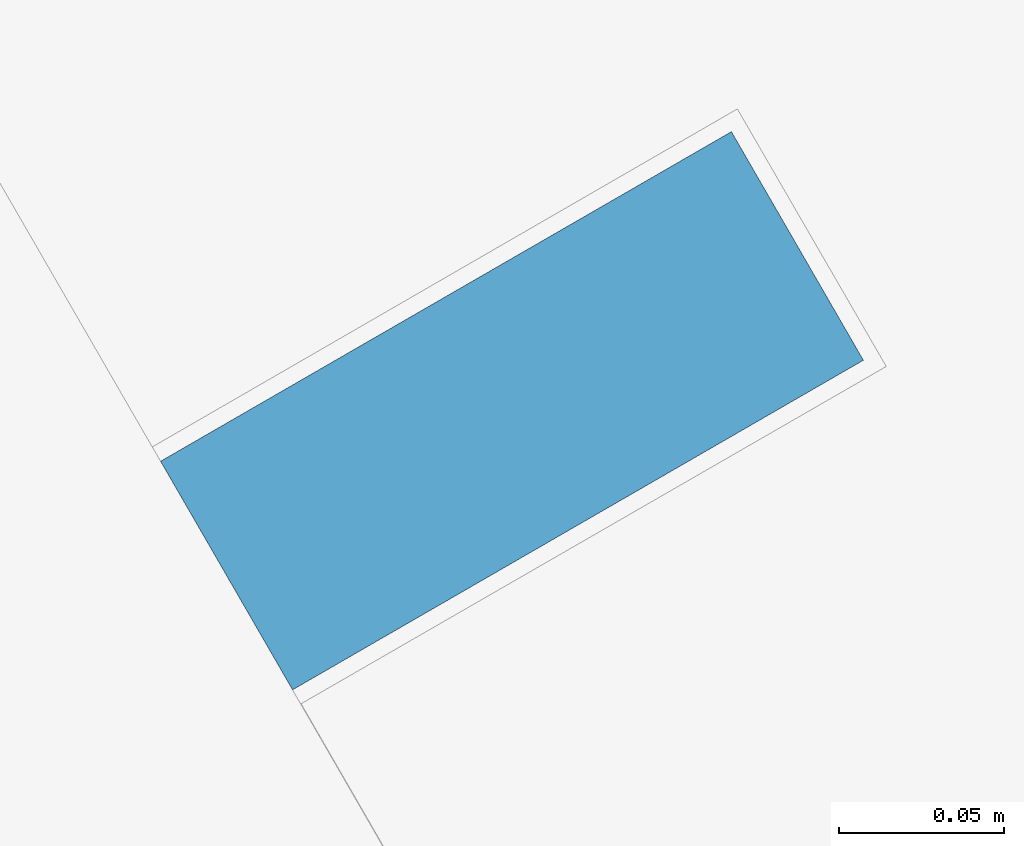
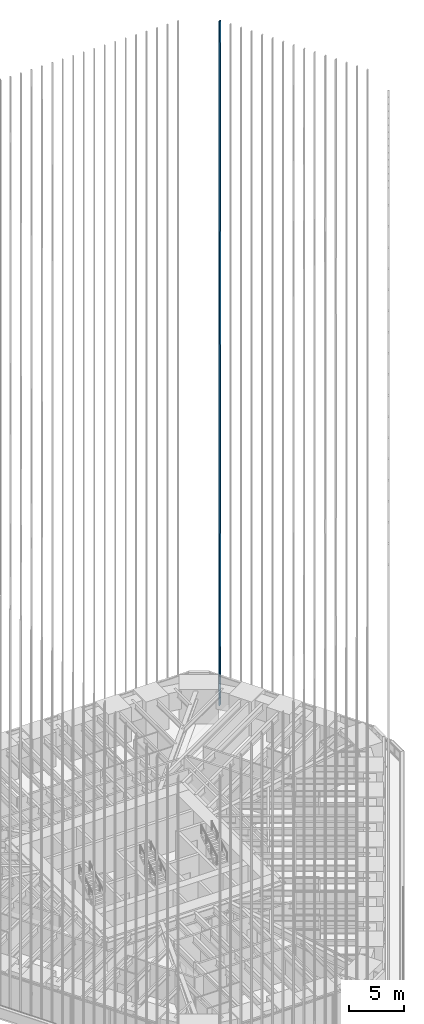
# One storey, part 221 of 238: 1 member, 1 element without a shape of its own.
"""IFC4 building model written with IfcOpenShell, lengths in metres."""

from ifc_helpers import new_model, si_unit, direction, frame, origin, origin_2d, place, context, subcontext, project, spatial, rectangle, extrude, material, material_profile, profile_set, type_object, element, aggregate, save


model = new_model("IFC4")

# Units and contexts
model_context = context("Model", 3, precision=1e-05, world=origin(), true_north=direction((0.0, 1.0)))
body_context = subcontext(model_context, "Body", "Model", "MODEL_VIEW")
ifc_project = project(units=[si_unit("LENGTHUNIT", "METRE"), si_unit("AREAUNIT", "SQUARE_METRE"), si_unit("VOLUMEUNIT", "CUBIC_METRE"), si_unit("PLANEANGLEUNIT", "RADIAN"), si_unit("MASSUNIT", "GRAM", prefix="KILO")], contexts=[model_context])

# Site, building, storey
site_placement = place(None, origin())
site = spatial("IfcSite", under=ifc_project, at=site_placement, CompositionType="ELEMENT")
building_placement = place(site_placement, origin())
building = spatial("IfcBuilding", under=site, at=building_placement, Name="Sandreach Pilgrim Tower", CompositionType="ELEMENT")
storey_placement = place(building_placement, frame((0.0, 0.0, 96.800048828125)))
storey = spatial("IfcBuildingStorey", under=building, at=storey_placement, Name="L23", CompositionType="ELEMENT", Elevation=96.800048828125)

# Curtain wall, member
ifc_material_1 = material(Name="Aluminium framed curtain wall", Category="aluminium")
curtain_wall_type = type_object("IfcCurtainWallType", Name="Hotel tower curtain wall", PredefinedType="NOTDEFINED", material=ifc_material_1)
curtain_wall_placement = place(storey_placement, origin())
curtain_wall = element("IfcCurtainWall", 1, at=curtain_wall_placement, inside=storey, type_object=curtain_wall_type, Name="CW-2 L23 NE", PredefinedType="NOTDEFINED")
ifc_material_2 = material(Name="Extruded terracotta on aluminium core", Category="masonry")
ifc_material_profile = material_profile(ifc_material_2, rectangle(XDim=0.080078125, YDim=0.199951171875, at=origin_2d()), Name="TBE 80X200")
ifc_profile_set = profile_set([ifc_material_profile], Name="Extruded terracotta on aluminium core")
member_type = type_object("IfcMemberType", Name="Terracotta baguette east", PredefinedType="USERDEFINED", material=ifc_profile_set)
member_placement = place(storey_placement, frame((20.89306640625, 20.99658203125, 0.0), z_axis=(0.0, 0.0, 1.0), x_axis=(0.5, -0.866025403784, 0.0)))
member = element("IfcMember", 2, at=member_placement, type_object=member_type, Name="Baguette Z2 NE01", ObjectType="BAGUETTE", PredefinedType="USERDEFINED", context=body_context, shape_type="SweptSolid", body=[
    extrude(rectangle(XDim=0.080078125, YDim=0.199951171875, at=origin_2d()), origin(), (0.0, 0.0, 1.0), 75.83984375),
])
aggregate(curtain_wall, [member])

save(model, "model.ifc")
